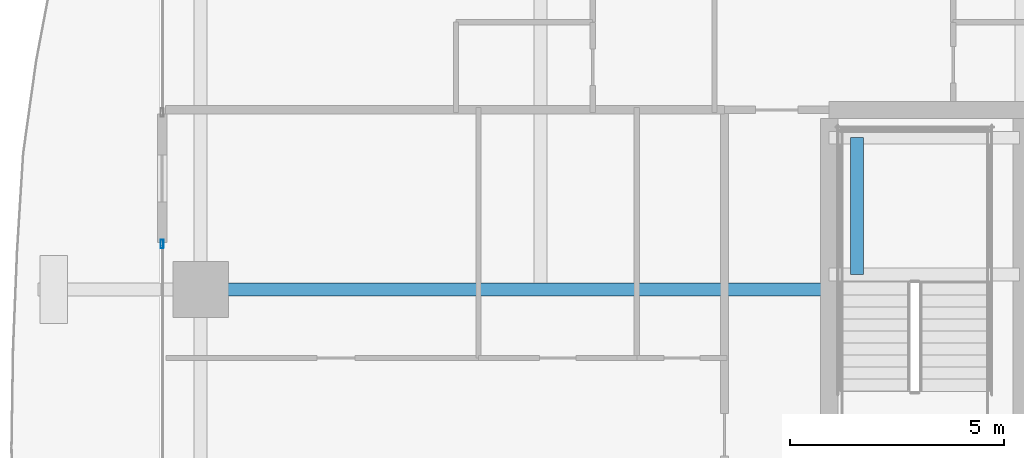
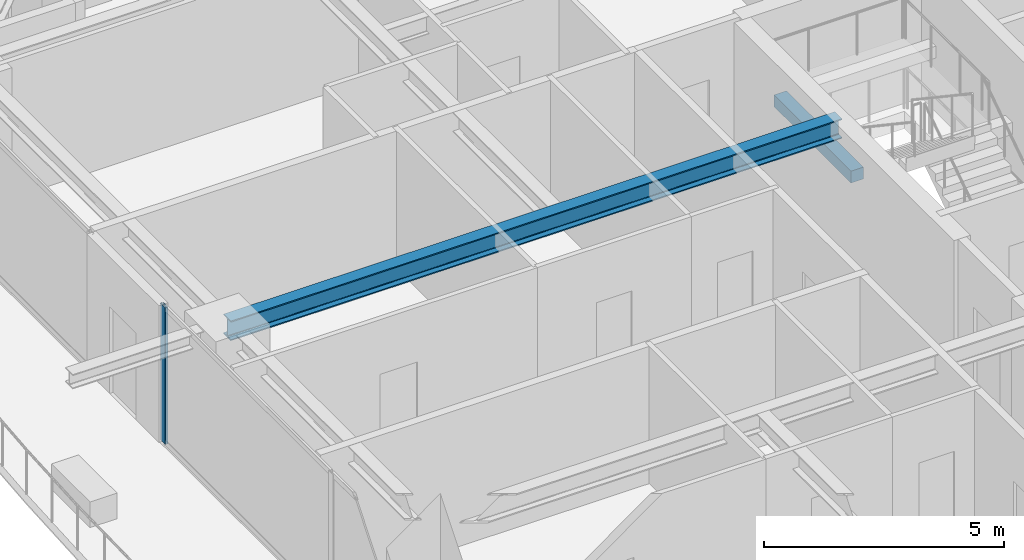
# One storey, part 10 of 38: 2 beams, 1 member, 1 element without a shape of its own.
"""IFC4 building model written with IfcOpenShell, lengths in metres."""

import ifcopenshell
import ifcopenshell.guid

model = None  # the IFC model being written
_history = None  # IfcOwnerHistory: only IFC2X3 demands one
_inside = {}  # id of a spatial element -> (the spatial element, [elements in it])
_under = {}  # id of a project, library or spatial element -> (it, [spatial elements below it])
_declared = {}  # id of a project -> (the project, [libraries it declares])
_typed = {}  # id of a type object -> (the type object, [elements of that type])
_made_of = {}  # id of a material, layer set ... -> (it, [elements and type objects made of it])


def new_model(schema):
    """Start an empty IFC model of exactly this schema.

    Asked for "IFC4X3", IfcOpenShell would pick the latest addendum, in which some entities
    have other attributes; the version numbers below select the first issue.
    IFC2X3 requires an IfcOwnerHistory on every rooted entity: one is made here for all.
    """
    global model, _history
    if schema == "IFC4X3":
        model = ifcopenshell.file(schema_version=(4, 3, 0, 0))
    else:
        model = ifcopenshell.file(schema=schema)
    _inside.clear()
    _under.clear()
    _declared.clear()
    _typed.clear()
    _made_of.clear()
    _history = None
    if model.schema == "IFC2X3":
        org = make("IfcOrganization", Name="unknown")
        user = make(
            "IfcPersonAndOrganization",
            ThePerson=make("IfcPerson", FamilyName="unknown"),
            TheOrganization=org,
        )
        app = make(
            "IfcApplication",
            ApplicationDeveloper=org,
            Version="unknown",
            ApplicationFullName="unknown",
            ApplicationIdentifier="unknown",
        )
        _history = make(
            "IfcOwnerHistory",
            OwningUser=user,
            OwningApplication=app,
            ChangeAction="ADDED",
            CreationDate=0,
        )
    return model


def make(cls, **values):
    """One entity of the class cls with the attributes given. An attribute that is None is left unset."""
    return model.create_entity(
        cls, **{name: value for name, value in values.items() if value is not None}
    )


def rooted(cls, **values):
    """An entity with a GlobalId (a new one), such as an element, a storey or a relation."""
    return make(cls, GlobalId=ifcopenshell.guid.new(), OwnerHistory=_history, **values)


def si_unit(unit_type, name, prefix=None):
    """IfcSIUnit, for example si_unit("LENGTHUNIT", "METRE", prefix="MILLI")."""
    return make("IfcSIUnit", UnitType=unit_type, Prefix=prefix, Name=name)


def assignment(units):
    """IfcUnitAssignment: the units of a project."""
    return None if units is None else make("IfcUnitAssignment", Units=units)


def point(xyz):
    """IfcCartesianPoint."""
    return None if xyz is None else make("IfcCartesianPoint", Coordinates=xyz)


def direction(xyz):
    """IfcDirection."""
    return None if xyz is None else make("IfcDirection", DirectionRatios=xyz)


def frame(location, z_axis=None, x_axis=None):
    """IfcAxis2Placement3D, a coordinate frame: its origin and axes. An axis left out is left unset."""
    return make(
        "IfcAxis2Placement3D",
        Location=point(location),
        Axis=direction(z_axis),
        RefDirection=direction(x_axis),
    )


def frame_2d(location, x_axis=None):
    """IfcAxis2Placement2D, a coordinate frame in the plane: its origin and x axis."""
    return make(
        "IfcAxis2Placement2D", Location=point(location), RefDirection=direction(x_axis)
    )


def origin():
    """The frame at (0, 0, 0) with its axes left unset."""
    return frame((0.0, 0.0, 0.0))


def origin_2d():
    """The frame at (0, 0) in the plane with its x axis left unset."""
    return frame_2d((0.0, 0.0))


def place(relative_to, where):
    """IfcLocalPlacement: puts the frame where relative to a parent placement (None: the world)."""
    return make(
        "IfcLocalPlacement", PlacementRelTo=relative_to, RelativePlacement=where
    )


def context(
    kind, dimensions, precision=None, world=None, true_north=None, identifier=None
):
    """IfcGeometricRepresentationContext, for example the 3D "Model" context."""
    return make(
        "IfcGeometricRepresentationContext",
        ContextIdentifier=identifier,
        ContextType=kind,
        CoordinateSpaceDimension=dimensions,
        Precision=precision,
        WorldCoordinateSystem=world,
        TrueNorth=true_north,
    )


def subcontext(parent, identifier, kind, view, scale=None):
    """IfcGeometricRepresentationSubContext, for example "Body" below "Model"."""
    return make(
        "IfcGeometricRepresentationSubContext",
        ContextIdentifier=identifier,
        ContextType=kind,
        ParentContext=parent,
        TargetScale=scale,
        TargetView=view,
    )


def project(units=None, contexts=None):
    """IfcProject with its units and contexts."""
    return rooted(
        "IfcProject",
        Name="project",
        RepresentationContexts=contexts,
        UnitsInContext=assignment(units),
    )


def spatial(cls, under=None, at=None, **own):
    """A site, building, storey or space (cls), placed at a placement, below another one or the project."""
    s = rooted(cls, ObjectPlacement=at, **own)
    if under is not None:
        _under.setdefault(under.id(), (under, []))[1].append(s)
    return s


def profile(cls, at=None, kind="AREA", **sizes):
    """A parametric profile (cls). Its sizes go by their IFC names, for example OverallWidth=200.0."""
    return make(cls, ProfileType=kind, Position=at, **sizes)


def rectangle(**sizes):
    """IfcRectangleProfileDef."""
    return profile("IfcRectangleProfileDef", **sizes)


def hollow_rectangle(**sizes):
    """IfcRectangleHollowProfileDef."""
    return profile("IfcRectangleHollowProfileDef", **sizes)


def i_section(**sizes):
    """IfcIShapeProfileDef."""
    return profile("IfcIShapeProfileDef", **sizes)


def extrude(swept, where, along, depth):
    """IfcExtrudedAreaSolid: the profile swept, set in the frame where, extruded along a direction by depth."""
    return make(
        "IfcExtrudedAreaSolid",
        SweptArea=swept,
        Position=where,
        ExtrudedDirection=direction(along),
        Depth=depth,
    )


def shape(context_of_items, identifier, shape_type, items):
    """IfcShapeRepresentation: the items that make up one representation, for example the "Body"."""
    return make(
        "IfcShapeRepresentation",
        ContextOfItems=context_of_items,
        RepresentationIdentifier=identifier,
        RepresentationType=shape_type,
        Items=items,
    )


def source(mapping_origin, context_of_items, identifier, shape_type, items):
    """IfcRepresentationMap: a shape defined once, which mapped items show again and again."""
    return make(
        "IfcRepresentationMap",
        MappingOrigin=mapping_origin,
        MappedRepresentation=shape(context_of_items, identifier, shape_type, items),
    )


def transform(
    local_origin,
    x_axis=None,
    y_axis=None,
    z_axis=None,
    scale=None,
    scale2=None,
    scale3=None,
    uniform=True,
):
    """IfcCartesianTransformationOperator3D, or its non-uniform kind. x_axis, y_axis, z_axis: its Axis1, 2, 3."""
    if uniform:
        return make(
            "IfcCartesianTransformationOperator3D",
            Axis1=direction(x_axis),
            Axis2=direction(y_axis),
            LocalOrigin=point(local_origin),
            Scale=scale,
            Axis3=direction(z_axis),
        )
    return make(
        "IfcCartesianTransformationOperator3DnonUniform",
        Axis1=direction(x_axis),
        Axis2=direction(y_axis),
        LocalOrigin=point(local_origin),
        Scale=scale,
        Axis3=direction(z_axis),
        Scale2=scale2,
        Scale3=scale3,
    )


def mapped(mapping_source, mapping_target):
    """IfcMappedItem: shows the shape of a source again, moved by a transform."""
    return make(
        "IfcMappedItem", MappingSource=mapping_source, MappingTarget=mapping_target
    )


def material(Name=None, Category=None):
    """IfcMaterial."""
    return make("IfcMaterial", Name=Name, Category=Category)


def layer(
    of_material, thickness, ventilated=None, Name=None, Category=None, Priority=None
):
    """IfcMaterialLayer: one layer of a wall or slab, of a material (None: an air gap)."""
    return make(
        "IfcMaterialLayer",
        Material=of_material,
        LayerThickness=thickness,
        IsVentilated=ventilated,
        Name=Name,
        Category=Category,
        Priority=Priority,
    )


def layer_set(layers, Name=None):
    """IfcMaterialLayerSet."""
    return make("IfcMaterialLayerSet", MaterialLayers=layers, LayerSetName=Name)


def material_profile(
    of_material, cross_section, Name=None, Category=None, Priority=None
):
    """IfcMaterialProfile: a cross section and its material."""
    return make(
        "IfcMaterialProfile",
        Name=Name,
        Material=of_material,
        Profile=cross_section,
        Priority=Priority,
        Category=Category,
    )


def profile_set(profiles, Name=None, composite=None):
    """IfcMaterialProfileSet."""
    return make(
        "IfcMaterialProfileSet",
        Name=Name,
        MaterialProfiles=profiles,
        CompositeProfile=composite,
    )


def made_of(thing, what):
    """Note that an element or type object is made of a material, layer set ...; save() writes the relation."""
    if what is not None:
        _made_of.setdefault(what.id(), (what, []))[1].append(thing)
    return thing


def type_object(cls, material=None, **own):
    """A type object (cls), such as IfcWallType, which elements share."""
    return made_of(rooted(cls, **own), material)


def element(
    cls,
    number,
    at=None,
    inside=None,
    cuts=None,
    type_object=None,
    material=None,
    context=None,
    identifier="Body",
    shape_type=None,
    held_by="IfcProductDefinitionShape",
    body=None,
    shapes=None,
    **own,
):
    """One element of the class cls, such as IfcWall. Its Tag is "e" and its number.

    at: its placement. inside: the storey or other place that contains it. cuts: it is an
    opening in that element (IfcRelVoidsElement). A single representation is given by context,
    identifier, shape_type and body (its items); several are given by shapes. held_by: the class
    of the entity that holds the representations. save() writes the other relations.
    """
    e = rooted(cls, Tag="e%d" % number, ObjectPlacement=at, **own)
    if body is not None:
        shapes = [shape(context, identifier, shape_type, body)]
    if shapes is not None:
        e.Representation = make(held_by, Representations=shapes)
    if inside is not None:
        _inside.setdefault(inside.id(), (inside, []))[1].append(e)
    if cuts is not None:
        rooted(
            "IfcRelVoidsElement", RelatingBuildingElement=cuts, RelatedOpeningElement=e
        )
    if type_object is not None:
        _typed.setdefault(type_object.id(), (type_object, []))[1].append(e)
    return made_of(e, material)


def aggregate(whole, parts):
    """IfcRelAggregates: a whole, such as a stair, and the parts it consists of."""
    return rooted("IfcRelAggregates", RelatingObject=whole, RelatedObjects=parts)


def save(model, path):
    """Write the relations noted so far, then the file.

    IfcRelAggregates (storeys below a building ...), IfcRelContainedInSpatialStructure (elements
    in a storey), IfcRelDefinesByType, IfcRelAssociatesMaterial and IfcRelDeclares: one each for
    every whole, place, type object, material and project.
    """
    for whole, parts in _under.values():
        aggregate(whole, parts)
    for where, things in _inside.values():
        rooted(
            "IfcRelContainedInSpatialStructure",
            RelatedElements=things,
            RelatingStructure=where,
        )
    for kind, things in _typed.values():
        rooted("IfcRelDefinesByType", RelatedObjects=things, RelatingType=kind)
    for what, things in _made_of.values():
        rooted("IfcRelAssociatesMaterial", RelatedObjects=things, RelatingMaterial=what)
    for by, libraries in _declared.values():
        rooted("IfcRelDeclares", RelatingContext=by, RelatedDefinitions=libraries)
    model.write(path)


model = new_model("IFC4")

# Units and contexts
model_context = context("Model", 3, precision=1e-05, world=origin(), true_north=direction((0.0, 1.0)))
body_context = subcontext(model_context, "Body", "Model", "MODEL_VIEW")
ifc_project = project(units=[si_unit("LENGTHUNIT", "METRE"), si_unit("AREAUNIT", "SQUARE_METRE"), si_unit("VOLUMEUNIT", "CUBIC_METRE"), si_unit("PLANEANGLEUNIT", "RADIAN"), si_unit("MASSUNIT", "GRAM", prefix="KILO")], contexts=[model_context])

# Site, building, storey
site_placement = place(None, origin())
site = spatial("IfcSite", under=ifc_project, at=site_placement, CompositionType="ELEMENT")
building_placement = place(site_placement, origin())
building = spatial("IfcBuilding", under=site, at=building_placement, Name="Serunith Strait Residences", CompositionType="ELEMENT")
storey_placement = place(building_placement, frame((0.0, 0.0, 120.14990234375)))
storey = spatial("IfcBuildingStorey", under=building, at=storey_placement, Name="L29", CompositionType="ELEMENT", Elevation=120.14990234375)

# Beams
ifc_material_1 = material(Name="Steel S355J2", Category="steel")
ifc_material_profile_1 = material_profile(ifc_material_1, i_section(OverallWidth=0.300048828125, OverallDepth=0.5, WebThickness=0.014404296875, FlangeThickness=0.028076171875, FilletRadius=0.027099609375, at=origin_2d()), Name="HEB 500")
ifc_profile_set_1 = profile_set([ifc_material_profile_1], Name="Steel S355J2")
beam_type_1 = type_object("IfcBeamType", Name="BM-HEB500", PredefinedType="BEAM", material=ifc_profile_set_1)
shared_shape_1 = source(origin(), body_context, "Body", "SweptSolid", [
    extrude(i_section(OverallWidth=0.300048828125, OverallDepth=0.5, WebThickness=0.014404296875, FlangeThickness=0.028076171875, FilletRadius=0.027099609375, at=origin_2d()), origin(), (0.0, 0.0, 1.0), 14.699951171875),
])
beam_1_placement = place(storey_placement, frame((23.39990234375, 29.39990234375, 3.237060546875), z_axis=(-1.0, 0.0, 0.0), x_axis=(0.0, -1.0, 0.0)))
element("IfcBeam", 1, at=beam_1_placement, inside=storey, type_object=beam_type_1, Name="L29 Primary Floor Girder TC-W3", PredefinedType="BEAM", context=body_context, shape_type="MappedRepresentation", body=[
    mapped(shared_shape_1, transform((0.0, 0.0, 0.0), scale=1.0)),
])
ifc_material_2 = material(Name="Concrete C60/75", Category="concrete")
ifc_material_profile_2 = material_profile(ifc_material_2, rectangle(XDim=0.300048828125, YDim=0.300048828125, at=origin_2d()), Name="RC 300x300")
ifc_profile_set_2 = profile_set([ifc_material_profile_2], Name="Concrete C60/75")
beam_type_2 = type_object("IfcBeamType", Name="BM-LAND-300x300", PredefinedType="BEAM", material=ifc_profile_set_2)
shared_shape_2 = source(origin(), body_context, "Body", "SweptSolid", [
    extrude(rectangle(XDim=0.300048828125, YDim=0.300048828125, at=origin_2d()), origin(), (0.0, 0.0, 1.0), 3.199951171875),
])
beam_2_placement = place(storey_placement, frame((24.050048828125, 29.75, 1.525146484375), z_axis=(0.0, 1.0, 0.0), x_axis=(-1.0, 0.0, 0.0)))
element("IfcBeam", 2, at=beam_2_placement, inside=storey, type_object=beam_type_2, Name="L29 ST-1 Landing Transverse Tie Beam", PredefinedType="BEAM", context=body_context, shape_type="MappedRepresentation", body=[
    mapped(shared_shape_2, transform((0.0, 0.0, 0.0), scale=1.0)),
])

# Curtain wall, member
ifc_material_3 = material(Name="Pale-Champagne Anodised Aluminium", Category="aluminium")
ifc_layer = layer(ifc_material_3, 0.199951171875, Name="Pale-Champagne Anodised Aluminium")
ifc_layer_set = layer_set([ifc_layer], Name="Pale-Champagne Anodised Aluminium")
curtain_wall_type = type_object("IfcCurtainWallType", Name="CW-SYS2", PredefinedType="NOTDEFINED", material=ifc_layer_set)
curtain_wall_placement = place(storey_placement, origin())
curtain_wall = element("IfcCurtainWall", 3, at=curtain_wall_placement, inside=storey, type_object=curtain_wall_type, Name="L29 W Unitised Fritted Curtain Wall", PredefinedType="NOTDEFINED")
ifc_material_profile_3 = material_profile(ifc_material_3, hollow_rectangle(XDim=0.070068359375, YDim=0.199951171875, WallThickness=0.00390625, InnerFilletRadius=0.006103515625, OuterFilletRadius=0.010009765625, at=origin_2d()), Name="ALU 200x70x4")
ifc_profile_set_3 = profile_set([ifc_material_profile_3], Name="Pale-Champagne Anodised Aluminium")
member_type = type_object("IfcMemberType", Name="CW-SYS2-MULL", PredefinedType="MULLION", material=ifc_profile_set_3)
shared_shape_3 = source(origin(), body_context, "Body", "SweptSolid", [
    extrude(hollow_rectangle(XDim=0.070068359375, YDim=0.199951171875, WallThickness=0.00390625, InnerFilletRadius=0.006103515625, OuterFilletRadius=0.010009765625, at=origin_2d()), origin(), (0.0, 0.0, 1.0), 3.47509765625),
])
member_placement = place(storey_placement, frame((7.800048828125, 30.465087890625, 0.0), z_axis=(0.0, 0.0, 1.0), x_axis=(1.0, 0.0, 0.0)))
member = element("IfcMember", 4, at=member_placement, type_object=member_type, Name="CW-2 mullion 1", PredefinedType="MULLION", context=body_context, shape_type="MappedRepresentation", body=[
    mapped(shared_shape_3, transform((0.0, 0.0, 0.0), scale=1.0)),
])
aggregate(curtain_wall, [member])

save(model, "model.ifc")
